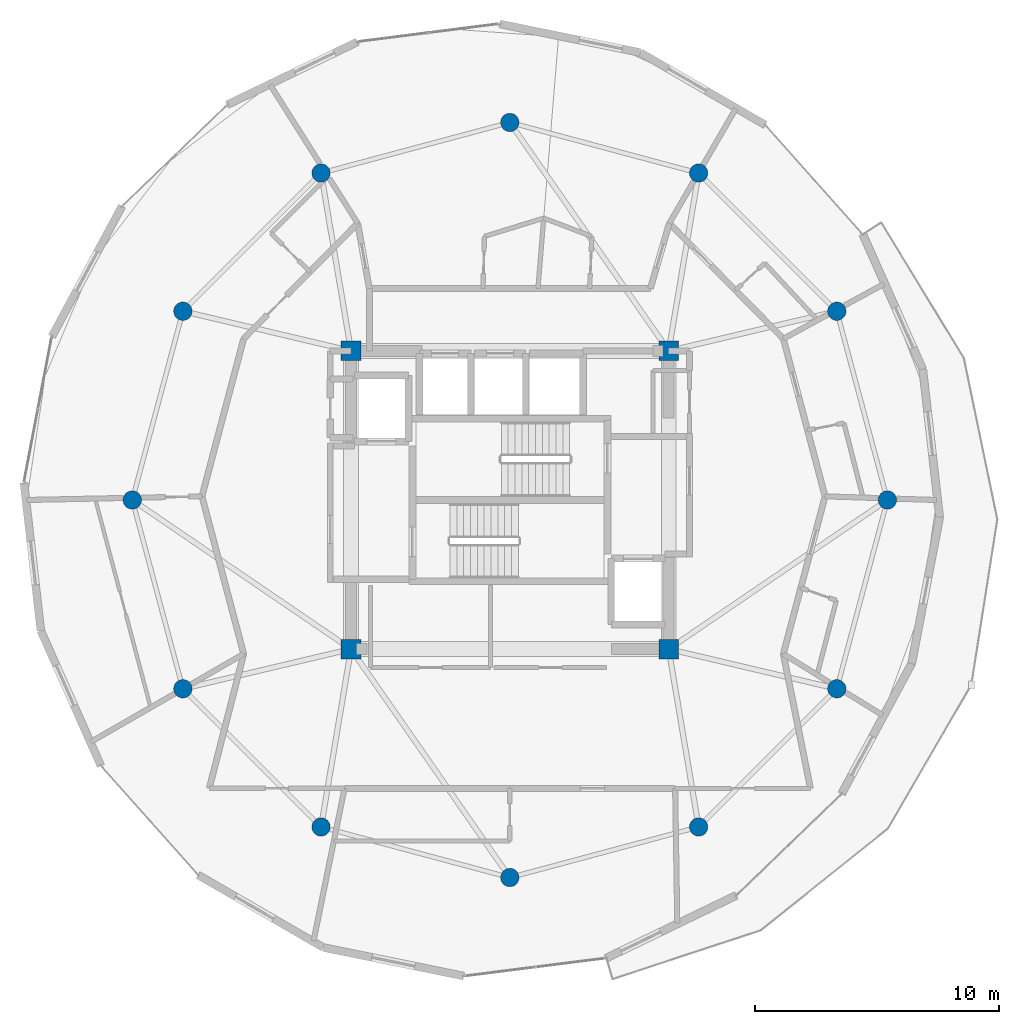
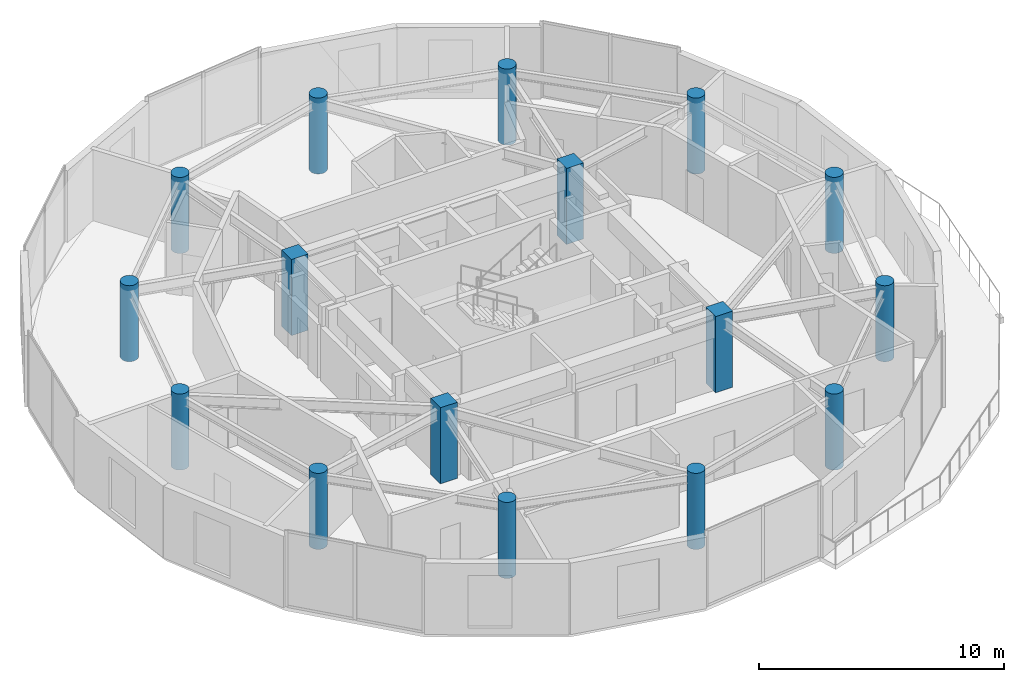
# One storey, part 1 of 23: 16 columns.
"""IFC4 building model written with IfcOpenShell, lengths in metres."""

import ifcopenshell
import ifcopenshell.guid

model = None  # the IFC model being written
_history = None  # IfcOwnerHistory: only IFC2X3 demands one
_inside = {}  # id of a spatial element -> (the spatial element, [elements in it])
_under = {}  # id of a project, library or spatial element -> (it, [spatial elements below it])
_declared = {}  # id of a project -> (the project, [libraries it declares])
_typed = {}  # id of a type object -> (the type object, [elements of that type])
_made_of = {}  # id of a material, layer set ... -> (it, [elements and type objects made of it])


def new_model(schema):
    """Start an empty IFC model of exactly this schema.

    Asked for "IFC4X3", IfcOpenShell would pick the latest addendum, in which some entities
    have other attributes; the version numbers below select the first issue.
    IFC2X3 requires an IfcOwnerHistory on every rooted entity: one is made here for all.
    """
    global model, _history
    if schema == "IFC4X3":
        model = ifcopenshell.file(schema_version=(4, 3, 0, 0))
    else:
        model = ifcopenshell.file(schema=schema)
    _inside.clear()
    _under.clear()
    _declared.clear()
    _typed.clear()
    _made_of.clear()
    _history = None
    if model.schema == "IFC2X3":
        org = make("IfcOrganization", Name="unknown")
        user = make(
            "IfcPersonAndOrganization",
            ThePerson=make("IfcPerson", FamilyName="unknown"),
            TheOrganization=org,
        )
        app = make(
            "IfcApplication",
            ApplicationDeveloper=org,
            Version="unknown",
            ApplicationFullName="unknown",
            ApplicationIdentifier="unknown",
        )
        _history = make(
            "IfcOwnerHistory",
            OwningUser=user,
            OwningApplication=app,
            ChangeAction="ADDED",
            CreationDate=0,
        )
    return model


def make(cls, **values):
    """One entity of the class cls with the attributes given. An attribute that is None is left unset."""
    return model.create_entity(
        cls, **{name: value for name, value in values.items() if value is not None}
    )


def rooted(cls, **values):
    """An entity with a GlobalId (a new one), such as an element, a storey or a relation."""
    return make(cls, GlobalId=ifcopenshell.guid.new(), OwnerHistory=_history, **values)


def si_unit(unit_type, name, prefix=None):
    """IfcSIUnit, for example si_unit("LENGTHUNIT", "METRE", prefix="MILLI")."""
    return make("IfcSIUnit", UnitType=unit_type, Prefix=prefix, Name=name)


def assignment(units):
    """IfcUnitAssignment: the units of a project."""
    return None if units is None else make("IfcUnitAssignment", Units=units)


def point(xyz):
    """IfcCartesianPoint."""
    return None if xyz is None else make("IfcCartesianPoint", Coordinates=xyz)


def direction(xyz):
    """IfcDirection."""
    return None if xyz is None else make("IfcDirection", DirectionRatios=xyz)


def frame(location, z_axis=None, x_axis=None):
    """IfcAxis2Placement3D, a coordinate frame: its origin and axes. An axis left out is left unset."""
    return make(
        "IfcAxis2Placement3D",
        Location=point(location),
        Axis=direction(z_axis),
        RefDirection=direction(x_axis),
    )


def frame_2d(location, x_axis=None):
    """IfcAxis2Placement2D, a coordinate frame in the plane: its origin and x axis."""
    return make(
        "IfcAxis2Placement2D", Location=point(location), RefDirection=direction(x_axis)
    )


def origin():
    """The frame at (0, 0, 0) with its axes left unset."""
    return frame((0.0, 0.0, 0.0))


def origin_2d():
    """The frame at (0, 0) in the plane with its x axis left unset."""
    return frame_2d((0.0, 0.0))


def place(relative_to, where):
    """IfcLocalPlacement: puts the frame where relative to a parent placement (None: the world)."""
    return make(
        "IfcLocalPlacement", PlacementRelTo=relative_to, RelativePlacement=where
    )


def context(
    kind, dimensions, precision=None, world=None, true_north=None, identifier=None
):
    """IfcGeometricRepresentationContext, for example the 3D "Model" context."""
    return make(
        "IfcGeometricRepresentationContext",
        ContextIdentifier=identifier,
        ContextType=kind,
        CoordinateSpaceDimension=dimensions,
        Precision=precision,
        WorldCoordinateSystem=world,
        TrueNorth=true_north,
    )


def subcontext(parent, identifier, kind, view, scale=None):
    """IfcGeometricRepresentationSubContext, for example "Body" below "Model"."""
    return make(
        "IfcGeometricRepresentationSubContext",
        ContextIdentifier=identifier,
        ContextType=kind,
        ParentContext=parent,
        TargetScale=scale,
        TargetView=view,
    )


def project(units=None, contexts=None):
    """IfcProject with its units and contexts."""
    return rooted(
        "IfcProject",
        Name="project",
        RepresentationContexts=contexts,
        UnitsInContext=assignment(units),
    )


def spatial(cls, under=None, at=None, **own):
    """A site, building, storey or space (cls), placed at a placement, below another one or the project."""
    s = rooted(cls, ObjectPlacement=at, **own)
    if under is not None:
        _under.setdefault(under.id(), (under, []))[1].append(s)
    return s


def profile(cls, at=None, kind="AREA", **sizes):
    """A parametric profile (cls). Its sizes go by their IFC names, for example OverallWidth=200.0."""
    return make(cls, ProfileType=kind, Position=at, **sizes)


def rectangle(**sizes):
    """IfcRectangleProfileDef."""
    return profile("IfcRectangleProfileDef", **sizes)


def circle(**sizes):
    """IfcCircleProfileDef."""
    return profile("IfcCircleProfileDef", **sizes)


def extrude(swept, where, along, depth):
    """IfcExtrudedAreaSolid: the profile swept, set in the frame where, extruded along a direction by depth."""
    return make(
        "IfcExtrudedAreaSolid",
        SweptArea=swept,
        Position=where,
        ExtrudedDirection=direction(along),
        Depth=depth,
    )


def shape(context_of_items, identifier, shape_type, items):
    """IfcShapeRepresentation: the items that make up one representation, for example the "Body"."""
    return make(
        "IfcShapeRepresentation",
        ContextOfItems=context_of_items,
        RepresentationIdentifier=identifier,
        RepresentationType=shape_type,
        Items=items,
    )


def material(Name=None, Category=None):
    """IfcMaterial."""
    return make("IfcMaterial", Name=Name, Category=Category)


def material_profile(
    of_material, cross_section, Name=None, Category=None, Priority=None
):
    """IfcMaterialProfile: a cross section and its material."""
    return make(
        "IfcMaterialProfile",
        Name=Name,
        Material=of_material,
        Profile=cross_section,
        Priority=Priority,
        Category=Category,
    )


def profile_set(profiles, Name=None, composite=None):
    """IfcMaterialProfileSet."""
    return make(
        "IfcMaterialProfileSet",
        Name=Name,
        MaterialProfiles=profiles,
        CompositeProfile=composite,
    )


def made_of(thing, what):
    """Note that an element or type object is made of a material, layer set ...; save() writes the relation."""
    if what is not None:
        _made_of.setdefault(what.id(), (what, []))[1].append(thing)
    return thing


def type_object(cls, material=None, **own):
    """A type object (cls), such as IfcWallType, which elements share."""
    return made_of(rooted(cls, **own), material)


def element(
    cls,
    number,
    at=None,
    inside=None,
    cuts=None,
    type_object=None,
    material=None,
    context=None,
    identifier="Body",
    shape_type=None,
    held_by="IfcProductDefinitionShape",
    body=None,
    shapes=None,
    **own,
):
    """One element of the class cls, such as IfcWall. Its Tag is "e" and its number.

    at: its placement. inside: the storey or other place that contains it. cuts: it is an
    opening in that element (IfcRelVoidsElement). A single representation is given by context,
    identifier, shape_type and body (its items); several are given by shapes. held_by: the class
    of the entity that holds the representations. save() writes the other relations.
    """
    e = rooted(cls, Tag="e%d" % number, ObjectPlacement=at, **own)
    if body is not None:
        shapes = [shape(context, identifier, shape_type, body)]
    if shapes is not None:
        e.Representation = make(held_by, Representations=shapes)
    if inside is not None:
        _inside.setdefault(inside.id(), (inside, []))[1].append(e)
    if cuts is not None:
        rooted(
            "IfcRelVoidsElement", RelatingBuildingElement=cuts, RelatedOpeningElement=e
        )
    if type_object is not None:
        _typed.setdefault(type_object.id(), (type_object, []))[1].append(e)
    return made_of(e, material)


def aggregate(whole, parts):
    """IfcRelAggregates: a whole, such as a stair, and the parts it consists of."""
    return rooted("IfcRelAggregates", RelatingObject=whole, RelatedObjects=parts)


def save(model, path):
    """Write the relations noted so far, then the file.

    IfcRelAggregates (storeys below a building ...), IfcRelContainedInSpatialStructure (elements
    in a storey), IfcRelDefinesByType, IfcRelAssociatesMaterial and IfcRelDeclares: one each for
    every whole, place, type object, material and project.
    """
    for whole, parts in _under.values():
        aggregate(whole, parts)
    for where, things in _inside.values():
        rooted(
            "IfcRelContainedInSpatialStructure",
            RelatedElements=things,
            RelatingStructure=where,
        )
    for kind, things in _typed.values():
        rooted("IfcRelDefinesByType", RelatedObjects=things, RelatingType=kind)
    for what, things in _made_of.values():
        rooted("IfcRelAssociatesMaterial", RelatedObjects=things, RelatingMaterial=what)
    for by, libraries in _declared.values():
        rooted("IfcRelDeclares", RelatingContext=by, RelatedDefinitions=libraries)
    model.write(path)


model = new_model("IFC4")

# Units and contexts
model_context = context("Model", 3, precision=1e-05, world=origin(), true_north=direction((0.0, 1.0)))
body_context = subcontext(model_context, "Body", "Model", "MODEL_VIEW")
ifc_project = project(units=[si_unit("LENGTHUNIT", "METRE"), si_unit("AREAUNIT", "SQUARE_METRE"), si_unit("VOLUMEUNIT", "CUBIC_METRE"), si_unit("PLANEANGLEUNIT", "RADIAN"), si_unit("MASSUNIT", "GRAM", prefix="KILO")], contexts=[model_context])

# Site, building, storey
site_placement = place(None, origin())
site = spatial("IfcSite", under=ifc_project, at=site_placement, CompositionType="ELEMENT")
building_placement = place(site_placement, origin())
building = spatial("IfcBuilding", under=site, at=building_placement, Name="Solvirekh Grand Hotel", CompositionType="ELEMENT")
storey_placement = place(building_placement, frame((0.0, 0.0, 285.800048828125)))
storey = spatial("IfcBuildingStorey", under=building, at=storey_placement, Name="L74", CompositionType="ELEMENT", Elevation=285.800048828125)

# Columns
ifc_material = material(Name="Concrete C50/60", Category="concrete")
ifc_material_profile_1 = material_profile(ifc_material, rectangle(XDim=0.800048828125, YDim=0.800048828125, at=origin_2d()), Name="RC 800X800")
ifc_profile_set_1 = profile_set([ifc_material_profile_1], Name="Concrete C50/60")
column_type_1 = type_object("IfcColumnType", Name="Col_Core_800", PredefinedType="COLUMN", material=ifc_profile_set_1)
for number, where, z_axis, x_axis, name in (
    (1, (-6.5, -6.10009765625, 0.0), (0.0, 0.0, 1.0), (1.0, 0.0, 0.0), "L74 core corner column CC1"),
    (2, (6.5, -6.10009765625, 0.0), (0.0, 0.0, 1.0), (1.0, 0.0, 0.0), "L74 core corner column CC2"),
    (3, (6.5, 6.10009765625, 0.0), (0.0, 0.0, 1.0), (1.0, 0.0, 0.0), "L74 core corner column CC3"),
    (4, (-6.5, 6.10009765625, 0.0), (0.0, 0.0, 1.0), (1.0, 0.0, 0.0), "L74 core corner column CC4"),
):
    element("IfcColumn", number, at=place(storey_placement, frame(where, z_axis=z_axis, x_axis=x_axis)), inside=storey, type_object=column_type_1, Name=name, PredefinedType="COLUMN", context=body_context, shape_type="SweptSolid", body=[
        extrude(rectangle(XDim=0.800048828125, YDim=0.800048828125, at=origin_2d()), origin(), (0.0, 0.0, 1.0), 3.800048828125),
    ])
ifc_material_profile_2 = material_profile(ifc_material, circle(Radius=0.375, at=origin_2d()), Name="RC CIRC D750")
ifc_profile_set_2 = profile_set([ifc_material_profile_2], Name="Concrete C50/60")
column_type_2 = type_object("IfcColumnType", Name="Col_Z4_D750", PredefinedType="COLUMN", material=ifc_profile_set_2)
for number, where, z_axis, x_axis, name in (
    (5, (15.449951171875, 0.0, 0.0), (0.0, 0.0, 1.0), (1.0, 0.0, 0.0), "L74 perimeter column P01"),
    (6, (13.3798828125, 7.72509765625, 0.0), (0.0, 0.0, 1.0), (1.0, 0.0, 0.0), "L74 perimeter column P02"),
    (7, (7.72509765625, 13.3798828125, 0.0), (0.0, 0.0, 1.0), (1.0, 0.0, 0.0), "L74 perimeter column P03"),
    (8, (0.0, 15.449951171875, 0.0), (0.0, 0.0, 1.0), (1.0, 0.0, 0.0), "L74 perimeter column P04"),
    (9, (-7.72509765625, 13.3798828125, 0.0), (0.0, 0.0, 1.0), (1.0, 0.0, 0.0), "L74 perimeter column P05"),
    (10, (-13.3798828125, 7.72509765625, 0.0), (0.0, 0.0, 1.0), (1.0, 0.0, 0.0), "L74 perimeter column P06"),
    (11, (-15.449951171875, 0.0, 0.0), (0.0, 0.0, 1.0), (1.0, 0.0, 0.0), "L74 perimeter column P07"),
    (12, (-13.3798828125, -7.72509765625, 0.0), (0.0, 0.0, 1.0), (1.0, 0.0, 0.0), "L74 perimeter column P08"),
    (13, (-7.72509765625, -13.3798828125, 0.0), (0.0, 0.0, 1.0), (1.0, 0.0, 0.0), "L74 perimeter column P09"),
    (14, (0.0, -15.449951171875, 0.0), (0.0, 0.0, 1.0), (1.0, 0.0, 0.0), "L74 perimeter column P10"),
    (15, (7.72509765625, -13.3798828125, 0.0), (0.0, 0.0, 1.0), (1.0, 0.0, 0.0), "L74 perimeter column P11"),
    (16, (13.3798828125, -7.72509765625, 0.0), (0.0, 0.0, 1.0), (1.0, 0.0, 0.0), "L74 perimeter column P12"),
):
    element("IfcColumn", number, at=place(storey_placement, frame(where, z_axis=z_axis, x_axis=x_axis)), inside=storey, type_object=column_type_2, Name=name, PredefinedType="COLUMN", context=body_context, shape_type="SweptSolid", body=[
        extrude(circle(Radius=0.375, at=origin_2d()), origin(), (0.0, 0.0, 1.0), 3.800048828125),
    ])

save(model, "model.ifc")
